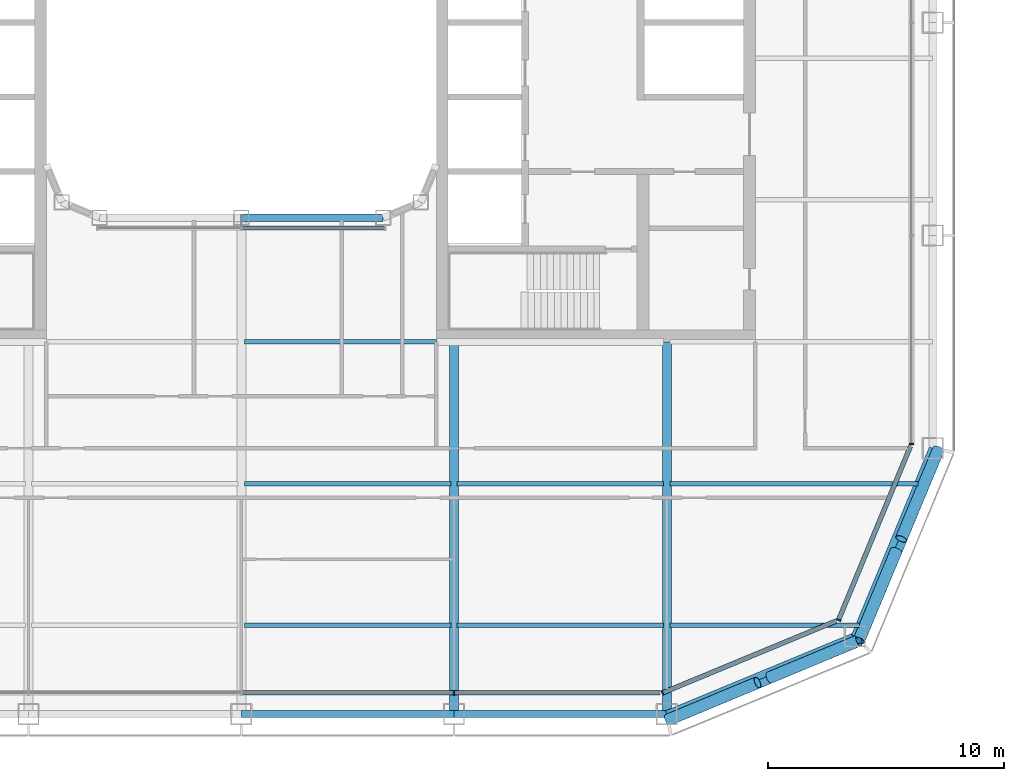
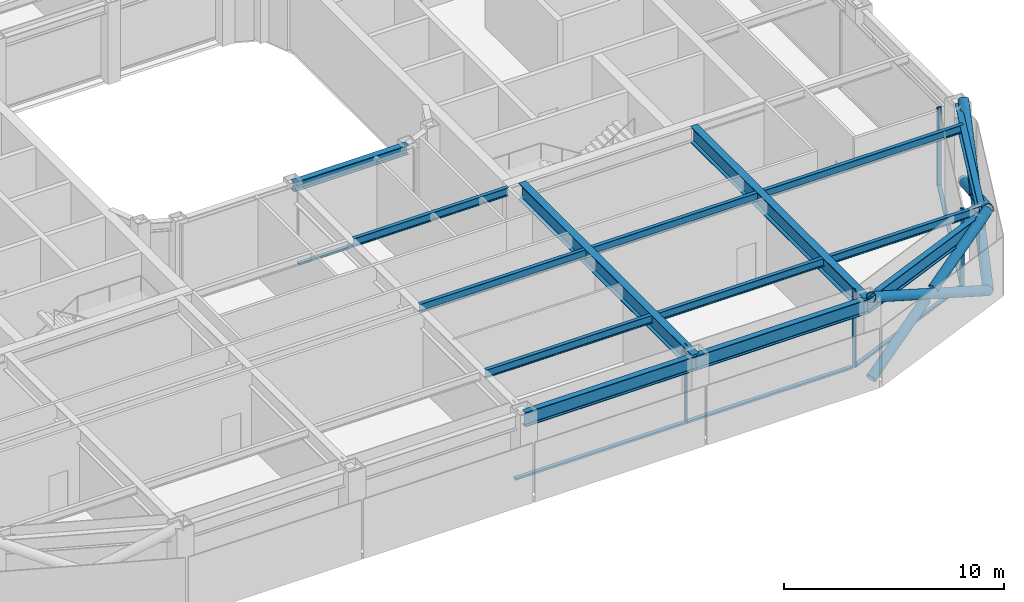
# One storey, part 4 of 23: 15 members, 14 beams, 5 elements without a shape of their own.
"""IFC4 building model written with IfcOpenShell, lengths in metres."""

from ifc_helpers import new_model, si_unit, direction, frame, origin, origin_2d, place, context, subcontext, project, spatial, rectangle, hollow_circle, i_section, extrude, material, layer, layer_set, material_profile, profile_set, type_object, element, aggregate, save


model = new_model("IFC4")

# Units and contexts
model_context = context("Model", 3, precision=1e-05, world=origin(), true_north=direction((0.0, 1.0)))
body_context = subcontext(model_context, "Body", "Model", "MODEL_VIEW")
ifc_project = project(units=[si_unit("LENGTHUNIT", "METRE"), si_unit("AREAUNIT", "SQUARE_METRE"), si_unit("VOLUMEUNIT", "CUBIC_METRE"), si_unit("PLANEANGLEUNIT", "RADIAN"), si_unit("MASSUNIT", "GRAM", prefix="KILO")], contexts=[model_context])

# Site, building, storey
site_placement = place(None, origin())
site = spatial("IfcSite", under=ifc_project, at=site_placement, CompositionType="ELEMENT")
building_placement = place(site_placement, origin())
building = spatial("IfcBuilding", under=site, at=building_placement, Name="Siwar Civic Tower", CompositionType="ELEMENT")
storey_placement = place(building_placement, frame((0.0, 0.0, 167.699951171875)))
storey = spatial("IfcBuildingStorey", under=building, at=storey_placement, Name="L36", CompositionType="ELEMENT", Elevation=167.699951171875)

# Curtain wall, member
ifc_material_1 = material(Name="Aluminium and glass", Category="aluminium")
ifc_layer_1 = layer(ifc_material_1, 0.199951171875)
ifc_layer_set_1 = layer_set([ifc_layer_1], Name="Aluminium and glass")
curtain_wall_type_1 = type_object("IfcCurtainWallType", Name="ENV-CW-B", PredefinedType="NOTDEFINED", material=ifc_layer_set_1)
curtain_wall_1_placement = place(storey_placement, origin())
curtain_wall_1 = element("IfcCurtainWall", 1, at=curtain_wall_1_placement, inside=storey, type_object=curtain_wall_type_1, Name="Curtain wall B S", PredefinedType="NOTDEFINED")
ifc_material_2 = material(Name="Aluminium 6063-T6", Category="aluminium")
ifc_material_profile_1 = material_profile(ifc_material_2, rectangle(XDim=0.199951171875, YDim=0.06494140625, at=origin_2d()), Name="AL 200x65")
ifc_profile_set_1 = profile_set([ifc_material_profile_1], Name="Aluminium 6063-T6")
member_type_1 = type_object("IfcMemberType", Name="ENV-MULLION-B", PredefinedType="MULLION", material=ifc_profile_set_1)
member_1_placement = place(storey_placement, frame((9.0, -28.35009765625, 0.0), z_axis=(0.0, 0.0, 1.0), x_axis=(0.0, 1.0, 0.0)))
member_1 = element("IfcMember", 2, at=member_1_placement, type_object=member_type_1, Name="Mullion B S 4", PredefinedType="MULLION", context=body_context, shape_type="SweptSolid", body=[
    extrude(rectangle(XDim=0.199951171875, YDim=0.06494140625, at=origin_2d()), origin(), (0.0, 0.0, 1.0), 4.35009765625),
])

ifc_material_3 = material(Name="Aluminium clad insulated panel", Category="aluminium")
ifc_layer_2 = layer(ifc_material_3, 0.199951171875)
ifc_layer_set_2 = layer_set([ifc_layer_2], Name="Aluminium clad insulated panel")
curtain_wall_type_2 = type_object("IfcCurtainWallType", Name="ENV-CW-BX", PredefinedType="NOTDEFINED", material=ifc_layer_set_2)
curtain_wall_2_placement = place(storey_placement, origin())
curtain_wall_2 = element("IfcCurtainWall", 3, at=curtain_wall_2_placement, inside=storey, type_object=curtain_wall_type_2, Name="Curtain wall B SE1", PredefinedType="NOTDEFINED")
member_2_placement = place(storey_placement, frame((17.821044921875, -28.35009765625, 0.0), z_axis=(0.0, 0.0, 1.0), x_axis=(-0.382683432365, 0.923879532511, 0.0)))
member_2 = element("IfcMember", 4, at=member_2_placement, type_object=member_type_1, Name="Mullion B SE1 1", PredefinedType="MULLION", context=body_context, shape_type="SweptSolid", body=[
    extrude(rectangle(XDim=0.199951171875, YDim=0.06494140625, at=origin_2d()), origin(), (0.0, 0.0, 1.0), 4.35009765625),
])

curtain_wall_3_placement = place(storey_placement, origin())
curtain_wall_3 = element("IfcCurtainWall", 5, at=curtain_wall_3_placement, inside=storey, type_object=curtain_wall_type_2, Name="Curtain wall B SE2", PredefinedType="NOTDEFINED")
member_3_placement = place(storey_placement, frame((25.26611328125, -25.26611328125, 0.0), z_axis=(0.0, 0.0, 1.0), x_axis=(-0.923879532511, 0.382683432365, 0.0)))
member_3 = element("IfcMember", 6, at=member_3_placement, type_object=member_type_1, Name="Mullion B SE2 1", PredefinedType="MULLION", context=body_context, shape_type="SweptSolid", body=[
    extrude(rectangle(XDim=0.199951171875, YDim=0.06494140625, at=origin_2d()), origin(), (0.0, 0.0, 1.0), 4.35009765625),
])

curtain_wall_4_placement = place(storey_placement, origin())
curtain_wall_4 = element("IfcCurtainWall", 7, at=curtain_wall_4_placement, inside=storey, type_object=curtain_wall_type_1, Name="Curtain wall B E", PredefinedType="NOTDEFINED")
member_4_placement = place(storey_placement, frame((28.35009765625, -17.821044921875, 0.0), z_axis=(0.0, 0.0, 1.0), x_axis=(-1.0, 0.0, 0.0)))
member_4 = element("IfcMember", 8, at=member_4_placement, type_object=member_type_1, Name="Mullion B E 1", PredefinedType="MULLION", context=body_context, shape_type="SweptSolid", body=[
    extrude(rectangle(XDim=0.199951171875, YDim=0.06494140625, at=origin_2d()), origin(), (0.0, 0.0, 1.0), 4.35009765625),
])
aggregate(curtain_wall_4, [member_4])

# Member
ifc_material_4 = material(Name="Aluminium 6063-T6", Category="aluminium")
ifc_material_profile_2 = material_profile(ifc_material_4, rectangle(XDim=0.199951171875, YDim=0.110107421875, at=origin_2d()), Name="AL 200x110")
ifc_profile_set_2 = profile_set([ifc_material_profile_2], Name="Aluminium 6063-T6")
member_type_2 = type_object("IfcMemberType", Name="ENV-TRANSOM-B", PredefinedType="USERDEFINED", material=ifc_profile_set_2)
member_5_placement = place(storey_placement, frame((0.032470703125, -28.35009765625, 0.054931640625), z_axis=(1.0, 0.0, 0.0), x_axis=(0.0, 1.0, 0.0)))
member_5 = element("IfcMember", 9, at=member_5_placement, type_object=member_type_2, Name="Transom B S 3", ObjectType="TRANSOM", PredefinedType="USERDEFINED", context=body_context, shape_type="SweptSolid", body=[
    extrude(rectangle(XDim=0.199951171875, YDim=0.110107421875, at=origin_2d()), origin(), (0.0, 0.0, 1.0), 8.93505859375),
])

member_6_placement = place(storey_placement, frame((9.032470703125, -28.35009765625, 0.054931640625), z_axis=(1.0, 0.0, 0.0), x_axis=(0.0, 1.0, 0.0)))
member_6 = element("IfcMember", 10, at=member_6_placement, type_object=member_type_2, Name="Transom B S 4", ObjectType="TRANSOM", PredefinedType="USERDEFINED", context=body_context, shape_type="SweptSolid", body=[
    extrude(rectangle(XDim=0.199951171875, YDim=0.110107421875, at=origin_2d()), origin(), (0.0, 0.0, 1.0), 8.6748046875),
])

aggregate(curtain_wall_1, [member_1, member_5, member_6])

member_7_placement = place(storey_placement, frame((17.85107421875, -28.337646484375, 0.054931640625), z_axis=(0.92387279587, 0.382699695651, 0.0), x_axis=(-0.382699695651, 0.92387279587, 0.0)))
member_7 = element("IfcMember", 11, at=member_7_placement, type_object=member_type_2, Name="Transom B SE1 1", ObjectType="TRANSOM", PredefinedType="USERDEFINED", context=body_context, shape_type="SweptSolid", body=[
    extrude(rectangle(XDim=0.199951171875, YDim=0.110107421875, at=origin_2d()), origin(), (0.0, 0.0, 1.0), 7.912353515625),
])

aggregate(curtain_wall_2, [member_2, member_7])

member_8_placement = place(storey_placement, frame((25.278564453125, -25.236083984375, 0.054931640625), z_axis=(0.382673358825, 0.923883705044, 0.0), x_axis=(-0.923883705044, 0.382673358825, 0.0)))
member_8 = element("IfcMember", 12, at=member_8_placement, type_object=member_type_2, Name="Transom B SE2 1", ObjectType="TRANSOM", PredefinedType="USERDEFINED", context=body_context, shape_type="SweptSolid", body=[
    extrude(rectangle(XDim=0.199951171875, YDim=0.110107421875, at=origin_2d()), origin(), (0.0, 0.0, 1.0), 7.912353515625),
])

aggregate(curtain_wall_3, [member_3, member_8])

# Curtain wall, member
ifc_material_5 = material(Name="Aluminium and glass", Category="aluminium")
ifc_layer_3 = layer(ifc_material_5, 0.179931640625)
ifc_layer_set_3 = layer_set([ifc_layer_3], Name="Aluminium and glass")
curtain_wall_type_3 = type_object("IfcCurtainWallType", Name="ENV-CW-W", PredefinedType="NOTDEFINED", material=ifc_layer_set_3)
curtain_wall_5_placement = place(storey_placement, origin())
curtain_wall_5 = element("IfcCurtainWall", 13, at=curtain_wall_5_placement, inside=storey, type_object=curtain_wall_type_3, Name="Curtain wall W WS", PredefinedType="NOTDEFINED")
ifc_material_6 = material(Name="Aluminium 6063-T6", Category="aluminium")
ifc_material_profile_3 = material_profile(ifc_material_6, rectangle(XDim=0.179931640625, YDim=0.10009765625, at=origin_2d()), Name="AL 180x100")
ifc_profile_set_3 = profile_set([ifc_material_profile_3], Name="Aluminium 6063-T6")
member_type_3 = type_object("IfcMemberType", Name="ENV-TRANSOM-W", PredefinedType="USERDEFINED", material=ifc_profile_set_3)
member_9_placement = place(storey_placement, frame((0.030029296875, -8.68505859375, 0.050048828125), z_axis=(1.0, 0.0, 0.0), x_axis=(0.0, 1.0, 0.0)))
member_9 = element("IfcMember", 14, at=member_9_placement, type_object=member_type_3, Name="Transom W WS 2", ObjectType="TRANSOM", PredefinedType="USERDEFINED", context=body_context, shape_type="SweptSolid", body=[
    extrude(rectangle(XDim=0.179931640625, YDim=0.10009765625, at=origin_2d()), origin(), (0.0, 0.0, 1.0), 6.026611328125),
])
aggregate(curtain_wall_5, [member_9])

# Members
ifc_material_7 = material(Name="Steel S355", Category="steel")
ifc_material_profile_4 = material_profile(ifc_material_7, hollow_circle(Radius=0.25390625, WallThickness=0.02490234375, at=origin_2d()), Name="CHS508x25")
ifc_profile_set_4 = profile_set([ifc_material_profile_4], Name="Steel S355")
member_type_4 = type_object("IfcMemberType", Name="STR-BR-CHS508x25", PredefinedType="BRACE", material=ifc_profile_set_4)
member_10_placement = place(storey_placement, frame((26.1318359375, -26.1318359375, 0.0), z_axis=(0.341671493852, 0.821142553604, 0.457149315816), x_axis=(-0.923264922524, 0.384163874976, 0.0)))
element("IfcMember", 15, at=member_10_placement, inside=storey, type_object=member_type_4, Name="L36/brc/BSE1-15-0-1", PredefinedType="BRACE", context=body_context, shape_type="SweptSolid", body=[
    extrude(hollow_circle(Radius=0.25390625, WallThickness=0.02490234375, at=origin_2d()), origin(), (0.0, 0.0, 1.0), 9.843505859375),
])
for number, where, z_axis, x_axis, name in (
    (16, (29.4951171875, -18.048828125, 0.0), (-0.341677318012, -0.821126041429, 0.457174621391), (0.923259859753, -0.384176042158, 0.0), "L36/brc/BSE1-15-0-2"),
    (17, (27.70849609375, -22.342529296875, 2.390625), (-0.341670737976, -0.821163134736, 0.457112910516), (0.923268638995, -0.384154943021, 0.0), "L36/brc/BSE1-15-0-3"),
):
    element("IfcMember", number, at=place(storey_placement, frame(where, z_axis=z_axis, x_axis=x_axis)), inside=storey, type_object=member_type_4, Name=name, PredefinedType="BRACE", context=body_context, shape_type="SweptSolid", body=[
        extrude(hollow_circle(Radius=0.25390625, WallThickness=0.02490234375, at=origin_2d()), origin(), (0.0, 0.0, 1.0), 4.614501953125),
    ])
member_11_placement = place(storey_placement, frame((26.1318359375, -26.1318359375, 0.0), z_axis=(-0.821142553604, -0.341671493852, 0.457149315816), x_axis=(0.384163874976, -0.923264922524, 0.0)))
element("IfcMember", 18, at=member_11_placement, inside=storey, type_object=member_type_4, Name="L36/brc/BSE1-15-0-0", PredefinedType="BRACE", context=body_context, shape_type="SweptSolid", body=[
    extrude(hollow_circle(Radius=0.25390625, WallThickness=0.02490234375, at=origin_2d()), origin(), (0.0, 0.0, 1.0), 9.843505859375),
])
for number, where, z_axis, x_axis, name in (
    (19, (18.048828125, -29.4951171875, 0.0), (0.821126041429, 0.341677318012, 0.457174621391), (-0.384176042158, 0.923259859753, 0.0), "L36/brc/BSE1-15-0-4"),
    (20, (22.342529296875, -27.70849609375, 2.390625), (0.821163134736, 0.341670737976, 0.457112910516), (-0.384154943021, 0.923268638995, 0.0), "L36/brc/BSE1-15-0-5"),
):
    element("IfcMember", number, at=place(storey_placement, frame(where, z_axis=z_axis, x_axis=x_axis)), inside=storey, type_object=member_type_4, Name=name, PredefinedType="BRACE", context=body_context, shape_type="SweptSolid", body=[
        extrude(hollow_circle(Radius=0.25390625, WallThickness=0.02490234375, at=origin_2d()), origin(), (0.0, 0.0, 1.0), 4.614501953125),
    ])

# Beams
ifc_material_8 = material(Name="Steel S355", Category="steel")
ifc_material_profile_5 = material_profile(ifc_material_8, i_section(OverallWidth=0.18994140625, OverallDepth=0.449951171875, WebThickness=0.009521484375, FlangeThickness=0.0146484375, FilletRadius=0.02099609375, at=origin_2d()), Name="IPE450")
ifc_profile_set_5 = profile_set([ifc_material_profile_5], Name="Steel S355")
beam_type_1 = type_object("IfcBeamType", Name="STR-FB-IPE450", PredefinedType="JOIST", material=ifc_profile_set_5)
for number, where, z_axis, x_axis, name in (
    (21, (0.1298828125, -25.5, 4.125), (1.0, 0.0, 0.0), (0.0, 1.0, 0.0), "L36/bm/F004"),
    (22, (9.1298828125, -25.5, 4.125), (1.0, 0.0, 0.0), (0.0, 1.0, 0.0), "L36/bm/F005"),
):
    element("IfcBeam", number, at=place(storey_placement, frame(where, z_axis=z_axis, x_axis=x_axis)), inside=storey, type_object=beam_type_1, Name=name, PredefinedType="JOIST", context=body_context, shape_type="SweptSolid", body=[
        extrude(i_section(OverallWidth=0.18994140625, OverallDepth=0.449951171875, WebThickness=0.009521484375, FlangeThickness=0.0146484375, FilletRadius=0.02099609375, at=origin_2d()), origin(), (0.0, 0.0, 1.0), 8.740234375),
    ])
beam_1_placement = place(storey_placement, frame((18.1298828125, -25.5, 4.125), z_axis=(1.0, 0.0, 0.0), x_axis=(0.0, 1.0, 0.0)))
element("IfcBeam", 23, at=beam_1_placement, inside=storey, type_object=beam_type_1, Name="L36/bm/F006", PredefinedType="JOIST", context=body_context, shape_type="SweptSolid", body=[
    extrude(i_section(OverallWidth=0.18994140625, OverallDepth=0.449951171875, WebThickness=0.009521484375, FlangeThickness=0.0146484375, FilletRadius=0.02099609375, at=origin_2d()), origin(), (0.0, 0.0, 1.0), 8.013427734375),
])
for number, where, z_axis, x_axis, name in (
    (24, (0.1298828125, -19.5, 4.125), (1.0, 0.0, 0.0), (0.0, 1.0, 0.0), "L36/bm/F010"),
    (25, (9.1298828125, -19.5, 4.125), (1.0, 0.0, 0.0), (0.0, 1.0, 0.0), "L36/bm/F011"),
):
    element("IfcBeam", number, at=place(storey_placement, frame(where, z_axis=z_axis, x_axis=x_axis)), inside=storey, type_object=beam_type_1, Name=name, PredefinedType="JOIST", context=body_context, shape_type="SweptSolid", body=[
        extrude(i_section(OverallWidth=0.18994140625, OverallDepth=0.449951171875, WebThickness=0.009521484375, FlangeThickness=0.0146484375, FilletRadius=0.02099609375, at=origin_2d()), origin(), (0.0, 0.0, 1.0), 8.740234375),
    ])
beam_2_placement = place(storey_placement, frame((18.1298828125, -19.5, 4.125), z_axis=(1.0, 0.0, 0.0), x_axis=(0.0, 1.0, 0.0)))
element("IfcBeam", 26, at=beam_2_placement, inside=storey, type_object=beam_type_1, Name="L36/bm/F012", PredefinedType="JOIST", context=body_context, shape_type="SweptSolid", body=[
    extrude(i_section(OverallWidth=0.18994140625, OverallDepth=0.449951171875, WebThickness=0.009521484375, FlangeThickness=0.0146484375, FilletRadius=0.02099609375, at=origin_2d()), origin(), (0.0, 0.0, 1.0), 10.498779296875),
])
beam_3_placement = place(storey_placement, frame((0.1298828125, -13.5, 4.125), z_axis=(1.0, 0.0, 0.0), x_axis=(0.0, 1.0, 0.0)))
element("IfcBeam", 27, at=beam_3_placement, inside=storey, type_object=beam_type_1, Name="L36/bm/F017", PredefinedType="JOIST", context=body_context, shape_type="SweptSolid", body=[
    extrude(i_section(OverallWidth=0.18994140625, OverallDepth=0.449951171875, WebThickness=0.009521484375, FlangeThickness=0.0146484375, FilletRadius=0.02099609375, at=origin_2d()), origin(), (0.0, 0.0, 1.0), 8.1201171875),
])
ifc_material_9 = material(Name="Steel S355", Category="steel")
ifc_material_profile_6 = material_profile(ifc_material_9, i_section(OverallWidth=0.3798828125, OverallDepth=0.89990234375, WebThickness=0.01611328125, FlangeThickness=0.035888671875, at=origin_2d()), Name="PG900x380x16x36")
ifc_profile_set_6 = profile_set([ifc_material_profile_6], Name="Steel S355")
beam_type_2 = type_object("IfcBeamType", Name="STR-PG-PG900x380x16x36", PredefinedType="BEAM", material=ifc_profile_set_6)
for number, where, z_axis, x_axis, name in (
    (28, (9.0, -29.25, 3.900146484375), (0.0, 1.0, 0.0), (-1.0, 0.0, 0.0), "L36/bm/G07"),
    (29, (18.0, -29.25, 3.900146484375), (0.0, 1.0, 0.0), (-1.0, 0.0, 0.0), "L36/bm/G09"),
):
    element("IfcBeam", number, at=place(storey_placement, frame(where, z_axis=z_axis, x_axis=x_axis)), inside=storey, type_object=beam_type_2, Name=name, PredefinedType="BEAM", context=body_context, shape_type="SweptSolid", body=[
        extrude(i_section(OverallWidth=0.3798828125, OverallDepth=0.89990234375, WebThickness=0.01611328125, FlangeThickness=0.035888671875, at=origin_2d()), origin(), (0.0, 0.0, 1.0), 15.75),
    ])
ifc_material_10 = material(Name="Steel S355", Category="steel")
ifc_material_profile_7 = material_profile(ifc_material_10, i_section(OverallWidth=0.305908203125, OverallDepth=0.52392578125, WebThickness=0.02099609375, FlangeThickness=0.0400390625, FilletRadius=0.027099609375, at=origin_2d()), Name="HEM500")
ifc_profile_set_7 = profile_set([ifc_material_profile_7], Name="Steel S355")
beam_type_3 = type_object("IfcBeamType", Name="STR-RB-HEM500", PredefinedType="BEAM", material=ifc_profile_set_7)
beam_4_placement = place(storey_placement, frame((0.0, -8.25, 4.088134765625), z_axis=(1.0, 0.0, 0.0), x_axis=(0.0, 1.0, 0.0)))
element("IfcBeam", 30, at=beam_4_placement, inside=storey, type_object=beam_type_3, Name="L36/bm/RS2", PredefinedType="BEAM", context=body_context, shape_type="SweptSolid", body=[
    extrude(i_section(OverallWidth=0.305908203125, OverallDepth=0.52392578125, WebThickness=0.02099609375, FlangeThickness=0.0400390625, FilletRadius=0.027099609375, at=origin_2d()), origin(), (0.0, 0.0, 1.0), 6.0),
])
ifc_material_11 = material(Name="Steel S355", Category="steel")
ifc_material_profile_8 = material_profile(ifc_material_11, i_section(OverallWidth=0.300048828125, OverallDepth=0.800048828125, WebThickness=0.017578125, FlangeThickness=0.032958984375, FilletRadius=0.030029296875, at=origin_2d()), Name="HEB800")
ifc_profile_set_8 = profile_set([ifc_material_profile_8], Name="Steel S355")
beam_type_4 = type_object("IfcBeamType", Name="STR-SB-HEB800", PredefinedType="BEAM", material=ifc_profile_set_8)
for number, where, z_axis, x_axis, name in (
    (31, (0.0, -29.25, 3.949951171875), (1.0, 0.0, 0.0), (0.0, 1.0, 0.0), "L36/bm/SS-2"),
    (32, (9.0, -29.25, 3.949951171875), (1.0, 0.0, 0.0), (0.0, 1.0, 0.0), "L36/bm/SS-3"),
):
    element("IfcBeam", number, at=place(storey_placement, frame(where, z_axis=z_axis, x_axis=x_axis)), inside=storey, type_object=beam_type_4, Name=name, PredefinedType="BEAM", context=body_context, shape_type="SweptSolid", body=[
        extrude(i_section(OverallWidth=0.300048828125, OverallDepth=0.800048828125, WebThickness=0.017578125, FlangeThickness=0.032958984375, FilletRadius=0.030029296875, at=origin_2d()), origin(), (0.0, 0.0, 1.0), 9.0),
    ])
for number, where, z_axis, x_axis, name in (
    (33, (18.0, -29.25, 3.949951171875), (0.923872720536, 0.382699877515, 0.0), (-0.382699877515, 0.923872720536, 0.0), "L36/bm/SSE1-0"),
    (34, (25.954833984375, -25.954833984375, 3.949951171875), (0.382699877515, 0.923872720536, 0.0), (-0.923872720536, 0.382699877515, 0.0), "L36/bm/SSE2-0"),
):
    element("IfcBeam", number, at=place(storey_placement, frame(where, z_axis=z_axis, x_axis=x_axis)), inside=storey, type_object=beam_type_4, Name=name, PredefinedType="BEAM", context=body_context, shape_type="SweptSolid", body=[
        extrude(i_section(OverallWidth=0.300048828125, OverallDepth=0.800048828125, WebThickness=0.017578125, FlangeThickness=0.032958984375, FilletRadius=0.030029296875, at=origin_2d()), origin(), (0.0, 0.0, 1.0), 8.6103515625),
    ])

save(model, "model.ifc")
